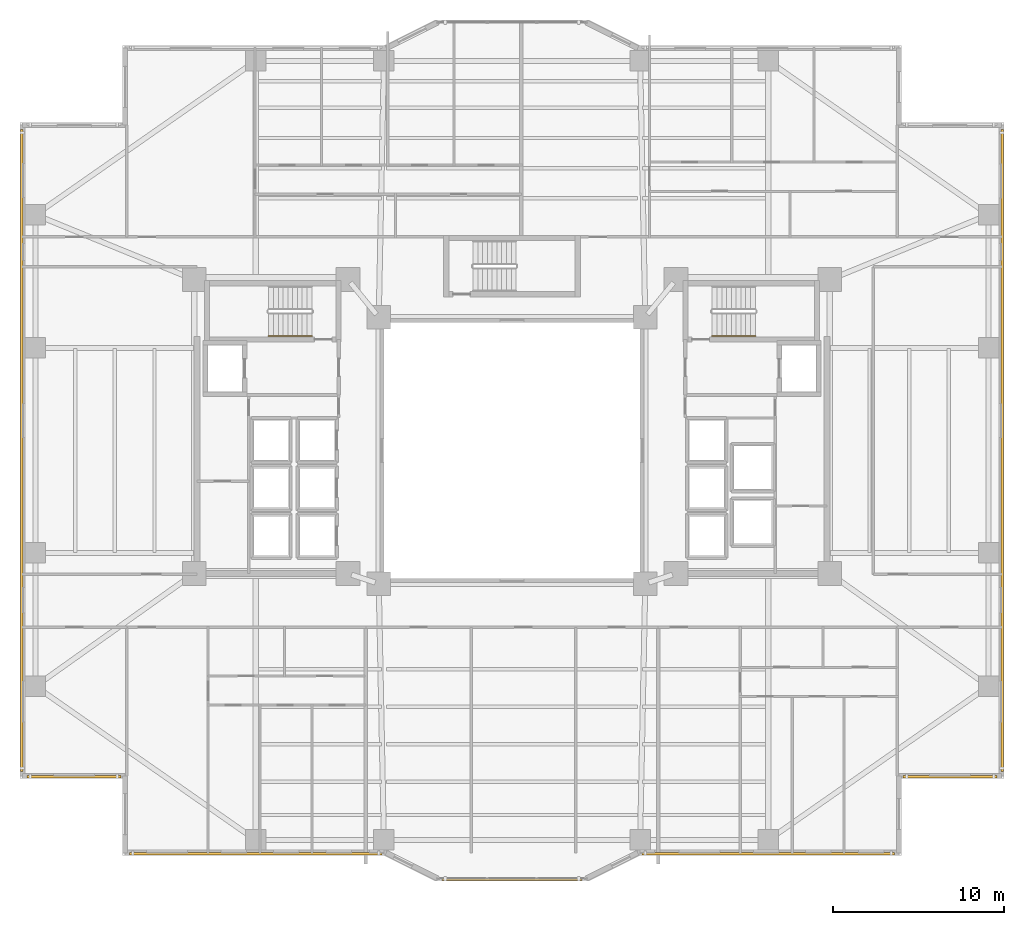
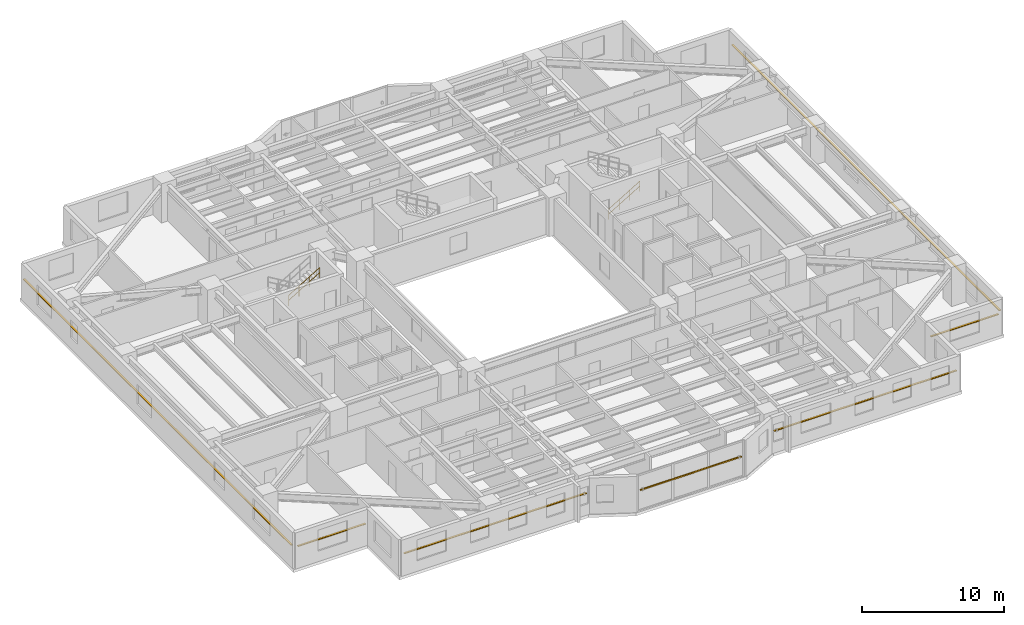
# One storey, part 18 of 20: 7 shading devices, 2 railings.
"""IFC4 building model written with IfcOpenShell, lengths in metres."""

from ifc_helpers import new_model, si_unit, direction, frame, origin, origin_2d, place, context, subcontext, project, spatial, rectangle, circle, extrude, material, material_profile, profile_set, type_object, element, save


model = new_model("IFC4")

# Units and contexts
model_context = context("Model", 3, precision=1e-05, world=origin(), true_north=direction((0.0, 1.0)))
body_context = subcontext(model_context, "Body", "Model", "MODEL_VIEW")
ifc_project = project(units=[si_unit("LENGTHUNIT", "METRE"), si_unit("AREAUNIT", "SQUARE_METRE"), si_unit("VOLUMEUNIT", "CUBIC_METRE"), si_unit("PLANEANGLEUNIT", "RADIAN"), si_unit("MASSUNIT", "GRAM", prefix="KILO")], contexts=[model_context])

# Site, building, storey
site_placement = place(None, origin())
site = spatial("IfcSite", under=ifc_project, at=site_placement, CompositionType="ELEMENT")
building_placement = place(site_placement, origin())
building = spatial("IfcBuilding", under=site, at=building_placement, Name="Tarnavaz Court Tower", CompositionType="ELEMENT")
storey_placement = place(building_placement, frame((0.0, 0.0, 34.050048828125)))
storey = spatial("IfcBuildingStorey", under=building, at=storey_placement, Name="L08", CompositionType="ELEMENT", Elevation=34.050048828125)

# Railings
ifc_material_1 = material(Name="Brushed Stainless Steel", Category="steel")
railing_type = type_object("IfcRailingType", Name="RL-HANDRAIL-900", PredefinedType="HANDRAIL", material=ifc_material_1)
railing_1_placement = place(storey_placement, frame((-14.239990234375, 6.699951171875, 1.842529296875)))
element("IfcRailing", 1, at=railing_1_placement, inside=storey, type_object=railing_type, Name="L08 ST-W1 stair handrail 2", PredefinedType="HANDRAIL", context=body_context, shape_type="SweptSolid", body=[
    extrude(circle(Radius=0.02392578125, at=origin_2d()), frame((0.0, 0.0, 0.8759765625), z_axis=(0.858196387827, 0.0, 0.513321497621), x_axis=(0.0, 1.0, 0.0)), (0.0, 0.0, 1.0), 2.9365234375),
    extrude(circle(Radius=0.02392578125, at=origin_2d()), frame((0.0, 0.0, 0.449951171875), z_axis=(0.858196387827, 0.0, 0.513321497621), x_axis=(0.0, 1.0, 0.0)), (0.0, 0.0, 1.0), 2.9365234375),
    extrude(circle(Radius=0.02099609375, at=origin_2d()), origin(), (0.0, 0.0, 1.0), 0.851806640625),
    extrude(circle(Radius=0.02099609375, at=origin_2d()), frame((0.840087890625, 0.0, 0.50244140625)), (0.0, 0.0, 1.0), 0.851806640625),
    extrude(circle(Radius=0.02099609375, at=origin_2d()), frame((1.679931640625, 0.0, 1.0048828125)), (0.0, 0.0, 1.0), 0.851806640625),
    extrude(circle(Radius=0.02099609375, at=origin_2d()), frame((2.52001953125, 0.0, 1.50732421875)), (0.0, 0.0, 1.0), 0.851806640625),
])
railing_2_placement = place(storey_placement, frame((11.719970703125, 6.699951171875, 0.16748046875)))
element("IfcRailing", 2, at=railing_2_placement, inside=storey, type_object=railing_type, Name="L08 ST-E1 stair handrail 1", PredefinedType="HANDRAIL", context=body_context, shape_type="SweptSolid", body=[
    extrude(circle(Radius=0.02392578125, at=origin_2d()), frame((0.0, 0.0, 0.8759765625), z_axis=(0.858159760407, 0.0, 0.513382728203), x_axis=(0.0, 1.0, 0.0)), (0.0, 0.0, 1.0), 2.9365234375),
    extrude(circle(Radius=0.02392578125, at=origin_2d()), frame((0.0, 0.0, 0.449951171875), z_axis=(0.858159760407, 0.0, 0.513382728203), x_axis=(0.0, 1.0, 0.0)), (0.0, 0.0, 1.0), 2.9365234375),
    extrude(circle(Radius=0.02099609375, at=origin_2d()), origin(), (0.0, 0.0, 1.0), 0.851806640625),
    extrude(circle(Radius=0.02099609375, at=origin_2d()), frame((0.840087890625, 0.0, 0.50244140625)), (0.0, 0.0, 1.0), 0.851806640625),
    extrude(circle(Radius=0.02099609375, at=origin_2d()), frame((1.679931640625, 0.0, 1.005126953125)), (0.0, 0.0, 1.0), 0.851806640625),
    extrude(circle(Radius=0.02099609375, at=origin_2d()), frame((2.52001953125, 0.0, 1.507568359375)), (0.0, 0.0, 1.0), 0.851806640625),
])

# Shading devices
ifc_material_2 = material(Name="Kiln-Fired Khorasan Terracotta Ceramic", Category="masonry")
ifc_material_profile_1 = material_profile(ifc_material_2, rectangle(XDim=0.1201171875, YDim=0.06005859375, at=origin_2d()), Name="TC BAGUETTE 120X60")
ifc_profile_set_1 = profile_set([ifc_material_profile_1], Name="Kiln-Fired Khorasan Terracotta Ceramic")
shading_device_type_1 = type_object("IfcShadingDeviceType", Name="SD-BAG-120", PredefinedType="USERDEFINED", material=ifc_profile_set_1)
shading_device_1_placement = place(storey_placement, frame((4.10009765625, -25.110107421875, 1.800048828125), z_axis=(-1.0, 0.0, 0.0), x_axis=(0.0, -1.0, 0.0)))
element("IfcShadingDevice", 3, at=shading_device_1_placement, inside=storey, type_object=shading_device_type_1, Name="L08 Terracotta Baguette Screen PBG17", ObjectType="BAGUETTE", PredefinedType="USERDEFINED", context=body_context, shape_type="SweptSolid", body=[
    extrude(rectangle(XDim=0.1201171875, YDim=0.06005859375, at=origin_2d()), origin(), (0.0, 0.0, 1.0), 8.2001953125),
])
ifc_material_profile_2 = material_profile(ifc_material_2, rectangle(XDim=0.14990234375, YDim=0.06494140625, at=origin_2d()), Name="TC BAGUETTE 150X65")
ifc_profile_set_2 = profile_set([ifc_material_profile_2], Name="Kiln-Fired Khorasan Terracotta Ceramic")
shading_device_type_2 = type_object("IfcShadingDeviceType", Name="SD-BAG-150", PredefinedType="USERDEFINED", material=ifc_profile_set_2)
shading_device_2_placement = place(storey_placement, frame((-22.89990234375, -19.110107421875, 1.849853515625), z_axis=(-1.0, 0.0, 0.0), x_axis=(0.0, -1.0, 0.0)))
element("IfcShadingDevice", 4, at=shading_device_2_placement, inside=storey, type_object=shading_device_type_2, Name="L08 Terracotta Baguette Screen FBG01", ObjectType="BAGUETTE", PredefinedType="USERDEFINED", context=body_context, shape_type="SweptSolid", body=[
    extrude(rectangle(XDim=0.14990234375, YDim=0.06494140625, at=origin_2d()), origin(), (0.0, 0.0, 1.0), 5.5),
])
for number, where, z_axis, x_axis, name in (
    (5, (-28.7099609375, -18.800048828125, 1.849853515625), (0.0, 1.0, 0.0), (-1.0, 0.0, 0.0), "L08 Terracotta Baguette Screen FBG02"),
    (6, (28.7099609375, 18.800048828125, 1.849853515625), (0.0, -1.0, 0.0), (1.0, 0.0, 0.0), "L08 Terracotta Baguette Screen FBG12"),
):
    element("IfcShadingDevice", number, at=place(storey_placement, frame(where, z_axis=z_axis, x_axis=x_axis)), inside=storey, type_object=shading_device_type_2, Name=name, ObjectType="BAGUETTE", PredefinedType="USERDEFINED", context=body_context, shape_type="SweptSolid", body=[
        extrude(rectangle(XDim=0.14990234375, YDim=0.06494140625, at=origin_2d()), origin(), (0.0, 0.0, 1.0), 37.60009765625),
    ])
shading_device_3_placement = place(storey_placement, frame((28.39990234375, -19.110107421875, 1.849853515625), z_axis=(-1.0, 0.0, 0.0), x_axis=(0.0, -1.0, 0.0)))
element("IfcShadingDevice", 7, at=shading_device_3_placement, inside=storey, type_object=shading_device_type_2, Name="L08 Terracotta Baguette Screen FBG13", ObjectType="BAGUETTE", PredefinedType="USERDEFINED", context=body_context, shape_type="SweptSolid", body=[
    extrude(rectangle(XDim=0.14990234375, YDim=0.06494140625, at=origin_2d()), origin(), (0.0, 0.0, 1.0), 5.5),
])
for number, where, z_axis, x_axis, name in (
    (8, (22.39990234375, -23.610107421875, 1.849853515625), (-1.0, 0.0, 0.0), (0.0, -1.0, 0.0), "L08 Terracotta Baguette Screen FBG15"),
    (9, (-7.60009765625, -23.610107421875, 1.849853515625), (-1.0, 0.0, 0.0), (0.0, -1.0, 0.0), "L08 Terracotta Baguette Screen FBG19"),
):
    element("IfcShadingDevice", number, at=place(storey_placement, frame(where, z_axis=z_axis, x_axis=x_axis)), inside=storey, type_object=shading_device_type_2, Name=name, ObjectType="BAGUETTE", PredefinedType="USERDEFINED", context=body_context, shape_type="SweptSolid", body=[
        extrude(rectangle(XDim=0.14990234375, YDim=0.06494140625, at=origin_2d()), origin(), (0.0, 0.0, 1.0), 14.7998046875),
    ])

save(model, "model.ifc")
